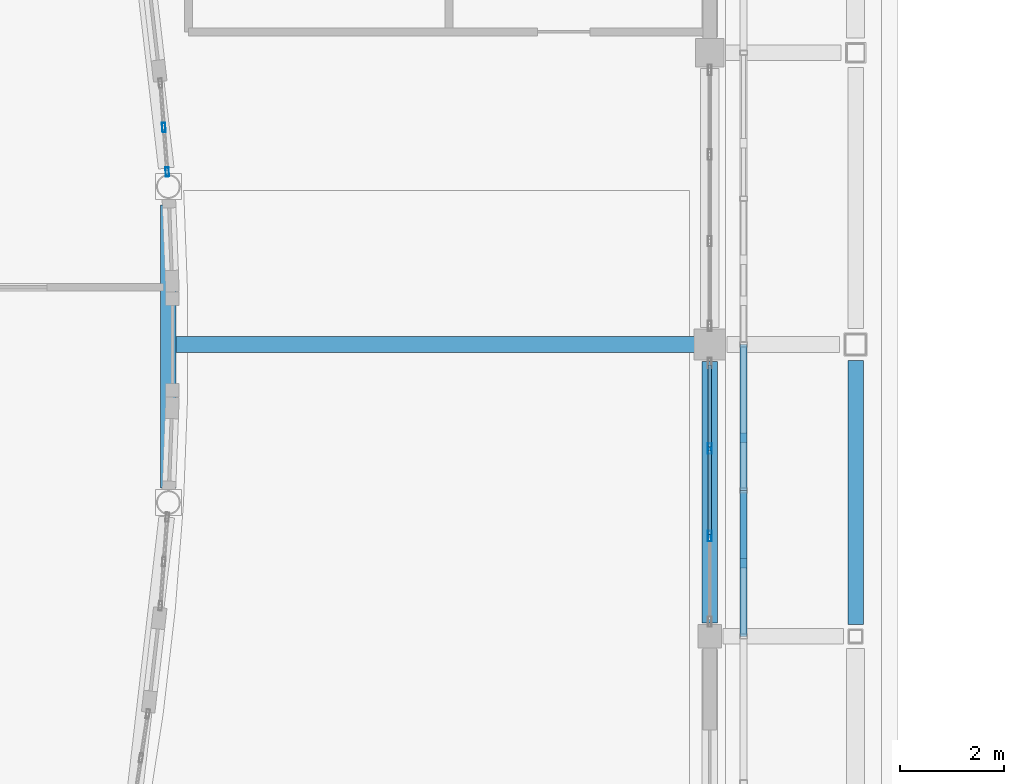
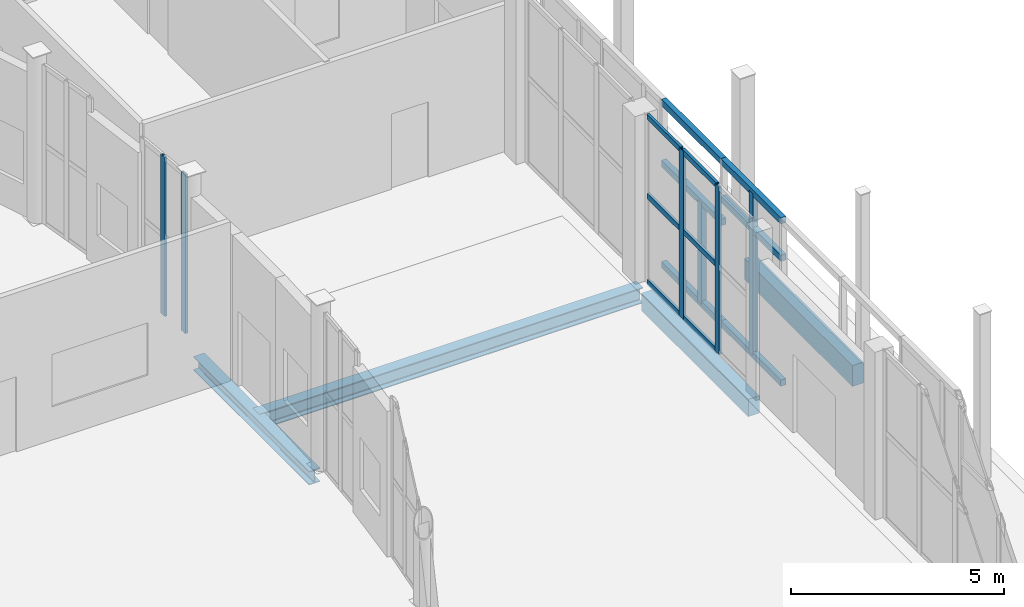
# One storey, part 42 of 91: 18 members, 4 beams, 2 elements without a shape of their own.
"""IFC4 building model written with IfcOpenShell, lengths in metres."""

import ifcopenshell
import ifcopenshell.guid

model = None  # the IFC model being written
_history = None  # IfcOwnerHistory: only IFC2X3 demands one
_inside = {}  # id of a spatial element -> (the spatial element, [elements in it])
_under = {}  # id of a project, library or spatial element -> (it, [spatial elements below it])
_declared = {}  # id of a project -> (the project, [libraries it declares])
_typed = {}  # id of a type object -> (the type object, [elements of that type])
_made_of = {}  # id of a material, layer set ... -> (it, [elements and type objects made of it])


def new_model(schema):
    """Start an empty IFC model of exactly this schema.

    Asked for "IFC4X3", IfcOpenShell would pick the latest addendum, in which some entities
    have other attributes; the version numbers below select the first issue.
    IFC2X3 requires an IfcOwnerHistory on every rooted entity: one is made here for all.
    """
    global model, _history
    if schema == "IFC4X3":
        model = ifcopenshell.file(schema_version=(4, 3, 0, 0))
    else:
        model = ifcopenshell.file(schema=schema)
    _inside.clear()
    _under.clear()
    _declared.clear()
    _typed.clear()
    _made_of.clear()
    _history = None
    if model.schema == "IFC2X3":
        org = make("IfcOrganization", Name="unknown")
        user = make(
            "IfcPersonAndOrganization",
            ThePerson=make("IfcPerson", FamilyName="unknown"),
            TheOrganization=org,
        )
        app = make(
            "IfcApplication",
            ApplicationDeveloper=org,
            Version="unknown",
            ApplicationFullName="unknown",
            ApplicationIdentifier="unknown",
        )
        _history = make(
            "IfcOwnerHistory",
            OwningUser=user,
            OwningApplication=app,
            ChangeAction="ADDED",
            CreationDate=0,
        )
    return model


def make(cls, **values):
    """One entity of the class cls with the attributes given. An attribute that is None is left unset."""
    return model.create_entity(
        cls, **{name: value for name, value in values.items() if value is not None}
    )


def rooted(cls, **values):
    """An entity with a GlobalId (a new one), such as an element, a storey or a relation."""
    return make(cls, GlobalId=ifcopenshell.guid.new(), OwnerHistory=_history, **values)


def si_unit(unit_type, name, prefix=None):
    """IfcSIUnit, for example si_unit("LENGTHUNIT", "METRE", prefix="MILLI")."""
    return make("IfcSIUnit", UnitType=unit_type, Prefix=prefix, Name=name)


def assignment(units):
    """IfcUnitAssignment: the units of a project."""
    return None if units is None else make("IfcUnitAssignment", Units=units)


def point(xyz):
    """IfcCartesianPoint."""
    return None if xyz is None else make("IfcCartesianPoint", Coordinates=xyz)


def direction(xyz):
    """IfcDirection."""
    return None if xyz is None else make("IfcDirection", DirectionRatios=xyz)


def frame(location, z_axis=None, x_axis=None):
    """IfcAxis2Placement3D, a coordinate frame: its origin and axes. An axis left out is left unset."""
    return make(
        "IfcAxis2Placement3D",
        Location=point(location),
        Axis=direction(z_axis),
        RefDirection=direction(x_axis),
    )


def frame_2d(location, x_axis=None):
    """IfcAxis2Placement2D, a coordinate frame in the plane: its origin and x axis."""
    return make(
        "IfcAxis2Placement2D", Location=point(location), RefDirection=direction(x_axis)
    )


def origin():
    """The frame at (0, 0, 0) with its axes left unset."""
    return frame((0.0, 0.0, 0.0))


def origin_2d():
    """The frame at (0, 0) in the plane with its x axis left unset."""
    return frame_2d((0.0, 0.0))


def place(relative_to, where):
    """IfcLocalPlacement: puts the frame where relative to a parent placement (None: the world)."""
    return make(
        "IfcLocalPlacement", PlacementRelTo=relative_to, RelativePlacement=where
    )


def context(
    kind, dimensions, precision=None, world=None, true_north=None, identifier=None
):
    """IfcGeometricRepresentationContext, for example the 3D "Model" context."""
    return make(
        "IfcGeometricRepresentationContext",
        ContextIdentifier=identifier,
        ContextType=kind,
        CoordinateSpaceDimension=dimensions,
        Precision=precision,
        WorldCoordinateSystem=world,
        TrueNorth=true_north,
    )


def subcontext(parent, identifier, kind, view, scale=None):
    """IfcGeometricRepresentationSubContext, for example "Body" below "Model"."""
    return make(
        "IfcGeometricRepresentationSubContext",
        ContextIdentifier=identifier,
        ContextType=kind,
        ParentContext=parent,
        TargetScale=scale,
        TargetView=view,
    )


def project(units=None, contexts=None):
    """IfcProject with its units and contexts."""
    return rooted(
        "IfcProject",
        Name="project",
        RepresentationContexts=contexts,
        UnitsInContext=assignment(units),
    )


def spatial(cls, under=None, at=None, **own):
    """A site, building, storey or space (cls), placed at a placement, below another one or the project."""
    s = rooted(cls, ObjectPlacement=at, **own)
    if under is not None:
        _under.setdefault(under.id(), (under, []))[1].append(s)
    return s


def profile(cls, at=None, kind="AREA", **sizes):
    """A parametric profile (cls). Its sizes go by their IFC names, for example OverallWidth=200.0."""
    return make(cls, ProfileType=kind, Position=at, **sizes)


def rectangle(**sizes):
    """IfcRectangleProfileDef."""
    return profile("IfcRectangleProfileDef", **sizes)


def hollow_rectangle(**sizes):
    """IfcRectangleHollowProfileDef."""
    return profile("IfcRectangleHollowProfileDef", **sizes)


def i_section(**sizes):
    """IfcIShapeProfileDef."""
    return profile("IfcIShapeProfileDef", **sizes)


def extrude(swept, where, along, depth):
    """IfcExtrudedAreaSolid: the profile swept, set in the frame where, extruded along a direction by depth."""
    return make(
        "IfcExtrudedAreaSolid",
        SweptArea=swept,
        Position=where,
        ExtrudedDirection=direction(along),
        Depth=depth,
    )


def shape(context_of_items, identifier, shape_type, items):
    """IfcShapeRepresentation: the items that make up one representation, for example the "Body"."""
    return make(
        "IfcShapeRepresentation",
        ContextOfItems=context_of_items,
        RepresentationIdentifier=identifier,
        RepresentationType=shape_type,
        Items=items,
    )


def material(Name=None, Category=None):
    """IfcMaterial."""
    return make("IfcMaterial", Name=Name, Category=Category)


def layer(
    of_material, thickness, ventilated=None, Name=None, Category=None, Priority=None
):
    """IfcMaterialLayer: one layer of a wall or slab, of a material (None: an air gap)."""
    return make(
        "IfcMaterialLayer",
        Material=of_material,
        LayerThickness=thickness,
        IsVentilated=ventilated,
        Name=Name,
        Category=Category,
        Priority=Priority,
    )


def layer_set(layers, Name=None):
    """IfcMaterialLayerSet."""
    return make("IfcMaterialLayerSet", MaterialLayers=layers, LayerSetName=Name)


def material_profile(
    of_material, cross_section, Name=None, Category=None, Priority=None
):
    """IfcMaterialProfile: a cross section and its material."""
    return make(
        "IfcMaterialProfile",
        Name=Name,
        Material=of_material,
        Profile=cross_section,
        Priority=Priority,
        Category=Category,
    )


def profile_set(profiles, Name=None, composite=None):
    """IfcMaterialProfileSet."""
    return make(
        "IfcMaterialProfileSet",
        Name=Name,
        MaterialProfiles=profiles,
        CompositeProfile=composite,
    )


def made_of(thing, what):
    """Note that an element or type object is made of a material, layer set ...; save() writes the relation."""
    if what is not None:
        _made_of.setdefault(what.id(), (what, []))[1].append(thing)
    return thing


def type_object(cls, material=None, **own):
    """A type object (cls), such as IfcWallType, which elements share."""
    return made_of(rooted(cls, **own), material)


def element(
    cls,
    number,
    at=None,
    inside=None,
    cuts=None,
    type_object=None,
    material=None,
    context=None,
    identifier="Body",
    shape_type=None,
    held_by="IfcProductDefinitionShape",
    body=None,
    shapes=None,
    **own,
):
    """One element of the class cls, such as IfcWall. Its Tag is "e" and its number.

    at: its placement. inside: the storey or other place that contains it. cuts: it is an
    opening in that element (IfcRelVoidsElement). A single representation is given by context,
    identifier, shape_type and body (its items); several are given by shapes. held_by: the class
    of the entity that holds the representations. save() writes the other relations.
    """
    e = rooted(cls, Tag="e%d" % number, ObjectPlacement=at, **own)
    if body is not None:
        shapes = [shape(context, identifier, shape_type, body)]
    if shapes is not None:
        e.Representation = make(held_by, Representations=shapes)
    if inside is not None:
        _inside.setdefault(inside.id(), (inside, []))[1].append(e)
    if cuts is not None:
        rooted(
            "IfcRelVoidsElement", RelatingBuildingElement=cuts, RelatedOpeningElement=e
        )
    if type_object is not None:
        _typed.setdefault(type_object.id(), (type_object, []))[1].append(e)
    return made_of(e, material)


def aggregate(whole, parts):
    """IfcRelAggregates: a whole, such as a stair, and the parts it consists of."""
    return rooted("IfcRelAggregates", RelatingObject=whole, RelatedObjects=parts)


def save(model, path):
    """Write the relations noted so far, then the file.

    IfcRelAggregates (storeys below a building ...), IfcRelContainedInSpatialStructure (elements
    in a storey), IfcRelDefinesByType, IfcRelAssociatesMaterial and IfcRelDeclares: one each for
    every whole, place, type object, material and project.
    """
    for whole, parts in _under.values():
        aggregate(whole, parts)
    for where, things in _inside.values():
        rooted(
            "IfcRelContainedInSpatialStructure",
            RelatedElements=things,
            RelatingStructure=where,
        )
    for kind, things in _typed.values():
        rooted("IfcRelDefinesByType", RelatedObjects=things, RelatingType=kind)
    for what, things in _made_of.values():
        rooted("IfcRelAssociatesMaterial", RelatedObjects=things, RelatingMaterial=what)
    for by, libraries in _declared.values():
        rooted("IfcRelDeclares", RelatingContext=by, RelatedDefinitions=libraries)
    model.write(path)


model = new_model("IFC4")

# Units and contexts
model_context = context("Model", 3, precision=1e-05, world=origin(), true_north=direction((0.0, 1.0)))
body_context = subcontext(model_context, "Body", "Model", "MODEL_VIEW")
ifc_project = project(units=[si_unit("LENGTHUNIT", "METRE"), si_unit("AREAUNIT", "SQUARE_METRE"), si_unit("VOLUMEUNIT", "CUBIC_METRE"), si_unit("PLANEANGLEUNIT", "RADIAN"), si_unit("MASSUNIT", "GRAM", prefix="KILO")], contexts=[model_context])

# Site, building, storey
site_placement = place(None, origin())
site = spatial("IfcSite", under=ifc_project, at=site_placement, CompositionType="ELEMENT")
building_placement = place(site_placement, origin())
building = spatial("IfcBuilding", under=site, at=building_placement, Name="Vinh Khe Railworks Police Headquarters", CompositionType="ELEMENT")
storey_placement = place(building_placement, origin())
storey = spatial("IfcBuildingStorey", under=building, at=storey_placement, Name="L00", CompositionType="ELEMENT", Elevation=0.0)

# Members
ifc_material_1 = material(Name="Salvaged ironwood timber", Category="wood")
ifc_material_profile_1 = material_profile(ifc_material_1, rectangle(XDim=0.139892578125, YDim=0.179931640625, at=origin_2d()), Name="TIMBER 140x180")
ifc_profile_set_1 = profile_set([ifc_material_profile_1], Name="Salvaged ironwood timber")
member_type_1 = type_object("IfcMemberType", Name="MEM-QUILT-STILE", PredefinedType="CHORD", material=ifc_profile_set_1)
for number, where, z_axis, x_axis, name in (
    (1, (60.64990234375, 36.39990234375, 4.719970703125), (0.0, 1.0, 0.0), (-1.0, 0.0, 0.0), "Salvaged Timber Quilt Transom E-L00-04-TOP"),
    (2, (60.64990234375, 36.39990234375, 0.080078125), (0.0, 1.0, 0.0), (-1.0, 0.0, 0.0), "Salvaged Timber Quilt Transom E-L00-04-BOT"),
    (3, (60.64990234375, 36.39990234375, 3.64794921875), (0.0, 1.0, 0.0), (-1.0, 0.0, 0.0), "Salvaged Timber Quilt Transom E-L00-04-M1"),
):
    element("IfcMember", number, at=place(storey_placement, frame(where, z_axis=z_axis, x_axis=x_axis)), inside=storey, type_object=member_type_1, Name=name, PredefinedType="CHORD", context=body_context, shape_type="SweptSolid", body=[
        extrude(rectangle(XDim=0.139892578125, YDim=0.179931640625, at=origin_2d()), origin(), (0.0, 0.0, 1.0), 2.800048828125),
    ])
member_1_placement = place(storey_placement, frame((60.64990234375, 37.800048828125, 0.080078125), z_axis=(0.0, 0.0, 1.0), x_axis=(1.0, 0.0, 0.0)))
element("IfcMember", 4, at=member_1_placement, inside=storey, type_object=member_type_1, Name="Salvaged Timber Quilt Stile E-L00-04-V1", PredefinedType="POST", context=body_context, shape_type="SweptSolid", body=[
    extrude(rectangle(XDim=0.139892578125, YDim=0.179931640625, at=origin_2d()), origin(), (0.0, 0.0, 1.0), 4.639892578125),
])
for number, where, z_axis, x_axis, name in (
    (5, (60.64990234375, 39.199951171875, 4.719970703125), (0.0, 1.0, 0.0), (-1.0, 0.0, 0.0), "Salvaged Timber Quilt Transom E-L00-05-TOP"),
    (6, (60.64990234375, 39.199951171875, 0.080078125), (0.0, 1.0, 0.0), (-1.0, 0.0, 0.0), "Salvaged Timber Quilt Transom E-L00-05-BOT"),
    (7, (60.64990234375, 39.199951171875, 2.97607421875), (0.0, 1.0, 0.0), (-1.0, 0.0, 0.0), "Salvaged Timber Quilt Transom E-L00-05-M1"),
):
    element("IfcMember", number, at=place(storey_placement, frame(where, z_axis=z_axis, x_axis=x_axis)), inside=storey, type_object=member_type_1, Name=name, PredefinedType="CHORD", context=body_context, shape_type="SweptSolid", body=[
        extrude(rectangle(XDim=0.139892578125, YDim=0.179931640625, at=origin_2d()), origin(), (0.0, 0.0, 1.0), 2.800048828125),
    ])
member_2_placement = place(storey_placement, frame((60.64990234375, 40.2080078125, 0.080078125), z_axis=(0.0, 0.0, 1.0), x_axis=(1.0, 0.0, 0.0)))
element("IfcMember", 8, at=member_2_placement, inside=storey, type_object=member_type_1, Name="Salvaged Timber Quilt Stile E-L00-05-V1", PredefinedType="POST", context=body_context, shape_type="SweptSolid", body=[
    extrude(rectangle(XDim=0.139892578125, YDim=0.179931640625, at=origin_2d()), origin(), (0.0, 0.0, 1.0), 2.89599609375),
])

# Curtain wall, members
ifc_material_2 = material(Name="Anodised aluminium and acoustic laminated glass", Category="aluminium")
ifc_layer_1 = layer(ifc_material_2, 0.159912109375)
ifc_layer_set_1 = layer_set([ifc_layer_1], Name="Anodised aluminium and acoustic laminated glass")
curtain_wall_type_1 = type_object("IfcCurtainWallType", Name="CW-DRUM-CHORD", PredefinedType="USERDEFINED", material=ifc_layer_set_1)
curtain_wall_1_placement = place(storey_placement, origin())
curtain_wall_1 = element("IfcCurtainWall", 9, at=curtain_wall_1_placement, inside=storey, type_object=curtain_wall_type_1, Name="Elliptical Command Drum Glazing L00 Chord 7", ObjectType="DRUM FACADE GLAZING", PredefinedType="USERDEFINED")
ifc_material_3 = material(Name="Anodised aluminium 6063-T6", Category="aluminium")
ifc_material_profile_2 = material_profile(ifc_material_3, hollow_rectangle(XDim=0.06494140625, YDim=0.179931640625, WallThickness=0.0048828125, at=origin_2d()), Name="CW-M 65x180x5")
ifc_profile_set_2 = profile_set([ifc_material_profile_2], Name="Anodised aluminium 6063-T6")
member_type_2 = type_object("IfcMemberType", Name="MULL-CWM-02", PredefinedType="MULLION", material=ifc_profile_set_2)
member_3_placement = place(storey_placement, frame((49.5908203125, 45.312255859375, 0.0), z_axis=(0.0, 0.0, 1.0), x_axis=(-0.997033391352, -0.076970231448, 0.0)))
member_3 = element("IfcMember", 10, at=member_3_placement, type_object=member_type_2, Name="CW-02 mullion 1", PredefinedType="MULLION", context=body_context, shape_type="SweptSolid", body=[
    extrude(hollow_rectangle(XDim=0.06494140625, YDim=0.179931640625, WallThickness=0.0048828125, at=origin_2d()), origin(), (0.0, 0.0, 1.0), 4.550048828125),
])
member_4_placement = place(storey_placement, frame((49.52490234375, 46.164306640625, 0.0), z_axis=(0.0, 0.0, 1.0), x_axis=(-0.997033391352, -0.076970231448, 0.0)))
member_4 = element("IfcMember", 11, at=member_4_placement, type_object=member_type_2, Name="CW-02 mullion 2", PredefinedType="MULLION", context=body_context, shape_type="SweptSolid", body=[
    extrude(hollow_rectangle(XDim=0.06494140625, YDim=0.179931640625, WallThickness=0.0048828125, at=origin_2d()), origin(), (0.0, 0.0, 1.0), 4.550048828125),
])
aggregate(curtain_wall_1, [member_3, member_4])

ifc_material_4 = material(Name="Anodised aluminium and low-iron glass", Category="aluminium")
ifc_layer_2 = layer(ifc_material_4, 0.179931640625)
ifc_layer_set_2 = layer_set([ifc_layer_2], Name="Anodised aluminium and low-iron glass")
curtain_wall_type_2 = type_object("IfcCurtainWallType", Name="CW-CUBE-UNIT", PredefinedType="USERDEFINED", material=ifc_layer_set_2)
curtain_wall_2_placement = place(storey_placement, origin())
curtain_wall_2 = element("IfcCurtainWall", 12, at=curtain_wall_2_placement, inside=storey, type_object=curtain_wall_type_2, Name="Entrance Hall Curtain Wall L00 E-3", ObjectType="UNITISED GLAZING", PredefinedType="USERDEFINED")
ifc_material_profile_3 = material_profile(ifc_material_3, hollow_rectangle(XDim=0.070068359375, YDim=0.199951171875, WallThickness=0.0048828125, at=origin_2d()), Name="CW-M 70x200x5")
ifc_profile_set_3 = profile_set([ifc_material_profile_3], Name="Anodised aluminium 6063-T6")
member_type_3 = type_object("IfcMemberType", Name="MULL-CWM-03", PredefinedType="MULLION", material=ifc_profile_set_3)
member_5_placement = place(storey_placement, frame((60.0, 38.3232421875, 0.0), z_axis=(0.0, 0.0, 1.0), x_axis=(-1.0, 0.0, 0.0)))
member_5 = element("IfcMember", 13, at=member_5_placement, type_object=member_type_3, Name="CW-01 mullion 2", PredefinedType="MULLION", context=body_context, shape_type="SweptSolid", body=[
    extrude(hollow_rectangle(XDim=0.070068359375, YDim=0.199951171875, WallThickness=0.0048828125, at=origin_2d()), origin(), (0.0, 0.0, 1.0), 4.800048828125),
])
member_6_placement = place(storey_placement, frame((60.0, 40.001708984375, 0.0), z_axis=(0.0, 0.0, 1.0), x_axis=(-1.0, 0.0, 0.0)))
member_6 = element("IfcMember", 14, at=member_6_placement, type_object=member_type_3, Name="CW-01 mullion 3", PredefinedType="MULLION", context=body_context, shape_type="SweptSolid", body=[
    extrude(hollow_rectangle(XDim=0.070068359375, YDim=0.199951171875, WallThickness=0.0048828125, at=origin_2d()), origin(), (0.0, 0.0, 1.0), 4.800048828125),
])

# Beams
ifc_material_5 = material(Name="Concrete C35/45 (B35)", Category="concrete")
ifc_material_profile_4 = material_profile(ifc_material_5, rectangle(XDim=0.300048828125, YDim=0.5, at=origin_2d()), Name="RC 300x500")
ifc_profile_set_4 = profile_set([ifc_material_profile_4], Name="Concrete C35/45 (B35)")
beam_type_1 = type_object("IfcBeamType", Name="RC Girder RC 300x500", PredefinedType="BEAM", material=ifc_profile_set_4)
beam_1_placement = place(storey_placement, frame((60.0, 36.655029296875, -0.530029296875), z_axis=(0.0, 1.0, 0.0), x_axis=(-1.0, 0.0, 0.0)))
element("IfcBeam", 15, at=beam_1_placement, inside=storey, type_object=beam_type_1, Name="Girder BM-L00-NS-RB-10-0324", PredefinedType="BEAM", context=body_context, shape_type="SweptSolid", body=[
    extrude(rectangle(XDim=0.300048828125, YDim=0.5, at=origin_2d()), origin(), (0.0, 0.0, 1.0), 5.014892578125),
])
ifc_material_profile_5 = material_profile(ifc_material_5, rectangle(XDim=0.300048828125, YDim=0.60009765625, at=origin_2d()), Name="RC 300x600")
ifc_profile_set_5 = profile_set([ifc_material_profile_5], Name="Concrete C35/45 (B35)")
beam_type_2 = type_object("IfcBeamType", Name="RC Girder RC 300x600", PredefinedType="BEAM", material=ifc_profile_set_5)
beam_2_placement = place(storey_placement, frame((62.800048828125, 36.6298828125, -0.580078125), z_axis=(0.0, 1.0, 0.0), x_axis=(-1.0, 0.0, 0.0)))
element("IfcBeam", 16, at=beam_2_placement, inside=storey, type_object=beam_type_2, Name="Girder BM-L00-NS-RB-09-0338", PredefinedType="BEAM", context=body_context, shape_type="SweptSolid", body=[
    extrude(rectangle(XDim=0.300048828125, YDim=0.60009765625, at=origin_2d()), origin(), (0.0, 0.0, 1.0), 5.065185546875),
])
ifc_material_6 = material(Name="Steel S355JR", Category="steel")
ifc_material_profile_6 = material_profile(ifc_material_6, i_section(OverallWidth=0.300048828125, OverallDepth=0.389892578125, WebThickness=0.010986328125, FlangeThickness=0.01904296875, FilletRadius=0.027099609375, at=origin_2d()), Name="HEA 400")
ifc_profile_set_6 = profile_set([ifc_material_profile_6], Name="Steel S355JR")
beam_type_3 = type_object("IfcBeamType", Name="Steel Girder HEA 400", PredefinedType="BEAM", material=ifc_profile_set_6)
beam_3_placement = place(storey_placement, frame((49.6123046875, 39.247802734375, -0.47509765625), z_axis=(0.0, 1.0, 0.0), x_axis=(-1.0, 0.0, 0.0)))
element("IfcBeam", 17, at=beam_3_placement, inside=storey, type_object=beam_type_3, Name="Drum Ring Girder BM-L00-DRUM-SB-14-0396", PredefinedType="BEAM", context=body_context, shape_type="SweptSolid", body=[
    extrude(i_section(OverallWidth=0.300048828125, OverallDepth=0.389892578125, WebThickness=0.010986328125, FlangeThickness=0.01904296875, FilletRadius=0.027099609375, at=origin_2d()), origin(), (0.0, 0.0, 1.0), 5.42919921875),
])
ifc_material_profile_7 = material_profile(ifc_material_6, i_section(OverallWidth=0.300048828125, OverallDepth=0.449951171875, WebThickness=0.013916015625, FlangeThickness=0.02587890625, FilletRadius=0.027099609375, at=origin_2d()), Name="HEB 450")
ifc_profile_set_7 = profile_set([ifc_material_profile_7], Name="Steel S355JR")
beam_type_4 = type_object("IfcBeamType", Name="Steel Girder HEB 450", PredefinedType="BEAM", material=ifc_profile_set_7)
beam_4_placement = place(storey_placement, frame((49.6123046875, 42.0, -0.5048828125), z_axis=(1.0, 0.0, 0.0), x_axis=(0.0, 1.0, 0.0)))
element("IfcBeam", 18, at=beam_4_placement, inside=storey, type_object=beam_type_4, Name="Concourse Link Bridge Girder BM-L00-LINK-SB-07-0404", PredefinedType="BEAM", context=body_context, shape_type="SweptSolid", body=[
    extrude(i_section(OverallWidth=0.300048828125, OverallDepth=0.449951171875, WebThickness=0.013916015625, FlangeThickness=0.02587890625, FilletRadius=0.027099609375, at=origin_2d()), origin(), (0.0, 0.0, 1.0), 10.3876953125),
])

# Member
ifc_material_profile_8 = material_profile(ifc_material_3, hollow_rectangle(XDim=0.070068359375, YDim=0.14990234375, WallThickness=0.0048828125, at=origin_2d()), Name="CW-T 70x150x5")
ifc_profile_set_8 = profile_set([ifc_material_profile_8], Name="Anodised aluminium 6063-T6")
member_type_4 = type_object("IfcMemberType", Name="TRAN-CWT-03", PredefinedType="USERDEFINED", material=ifc_profile_set_8)
member_7_placement = place(storey_placement, frame((60.0, 38.3583984375, 0.034912109375), z_axis=(0.0, 1.0, 0.0), x_axis=(-1.0, 0.0, 0.0)))
member_7 = element("IfcMember", 19, at=member_7_placement, type_object=member_type_4, Name="CW-01 transom 2.1", ObjectType="TRANSOM", PredefinedType="USERDEFINED", context=body_context, shape_type="SweptSolid", body=[
    extrude(hollow_rectangle(XDim=0.070068359375, YDim=0.14990234375, WallThickness=0.0048828125, at=origin_2d()), origin(), (0.0, 0.0, 1.0), 1.608154296875),
])

member_8_placement = place(storey_placement, frame((60.0, 38.3583984375, 2.49609375), z_axis=(0.0, 1.0, 0.0), x_axis=(-1.0, 0.0, 0.0)))
member_8 = element("IfcMember", 20, at=member_8_placement, type_object=member_type_4, Name="CW-01 transom 2.2", ObjectType="TRANSOM", PredefinedType="USERDEFINED", context=body_context, shape_type="SweptSolid", body=[
    extrude(hollow_rectangle(XDim=0.070068359375, YDim=0.14990234375, WallThickness=0.0048828125, at=origin_2d()), origin(), (0.0, 0.0, 1.0), 1.608154296875),
])

member_9_placement = place(storey_placement, frame((60.0, 38.3583984375, 4.764892578125), z_axis=(0.0, 1.0, 0.0), x_axis=(-1.0, 0.0, 0.0)))
member_9 = element("IfcMember", 21, at=member_9_placement, type_object=member_type_4, Name="CW-01 transom 2.3", ObjectType="TRANSOM", PredefinedType="USERDEFINED", context=body_context, shape_type="SweptSolid", body=[
    extrude(hollow_rectangle(XDim=0.070068359375, YDim=0.14990234375, WallThickness=0.0048828125, at=origin_2d()), origin(), (0.0, 0.0, 1.0), 1.608154296875),
])

member_10_placement = place(storey_placement, frame((60.0, 40.03662109375, 0.034912109375), z_axis=(0.0, 1.0, 0.0), x_axis=(-1.0, 0.0, 0.0)))
member_10 = element("IfcMember", 22, at=member_10_placement, type_object=member_type_4, Name="CW-01 transom 3.1", ObjectType="TRANSOM", PredefinedType="USERDEFINED", context=body_context, shape_type="SweptSolid", body=[
    extrude(hollow_rectangle(XDim=0.070068359375, YDim=0.14990234375, WallThickness=0.0048828125, at=origin_2d()), origin(), (0.0, 0.0, 1.0), 1.573486328125),
])

member_11_placement = place(storey_placement, frame((60.0, 40.03662109375, 2.49609375), z_axis=(0.0, 1.0, 0.0), x_axis=(-1.0, 0.0, 0.0)))
member_11 = element("IfcMember", 23, at=member_11_placement, type_object=member_type_4, Name="CW-01 transom 3.2", ObjectType="TRANSOM", PredefinedType="USERDEFINED", context=body_context, shape_type="SweptSolid", body=[
    extrude(hollow_rectangle(XDim=0.070068359375, YDim=0.14990234375, WallThickness=0.0048828125, at=origin_2d()), origin(), (0.0, 0.0, 1.0), 1.573486328125),
])

member_12_placement = place(storey_placement, frame((60.0, 40.03662109375, 4.764892578125), z_axis=(0.0, 1.0, 0.0), x_axis=(-1.0, 0.0, 0.0)))
member_12 = element("IfcMember", 24, at=member_12_placement, type_object=member_type_4, Name="CW-01 transom 3.3", ObjectType="TRANSOM", PredefinedType="USERDEFINED", context=body_context, shape_type="SweptSolid", body=[
    extrude(hollow_rectangle(XDim=0.070068359375, YDim=0.14990234375, WallThickness=0.0048828125, at=origin_2d()), origin(), (0.0, 0.0, 1.0), 1.573486328125),
])

aggregate(curtain_wall_2, [member_5, member_6, member_7, member_8, member_9, member_10, member_11, member_12])

save(model, "model.ifc")
